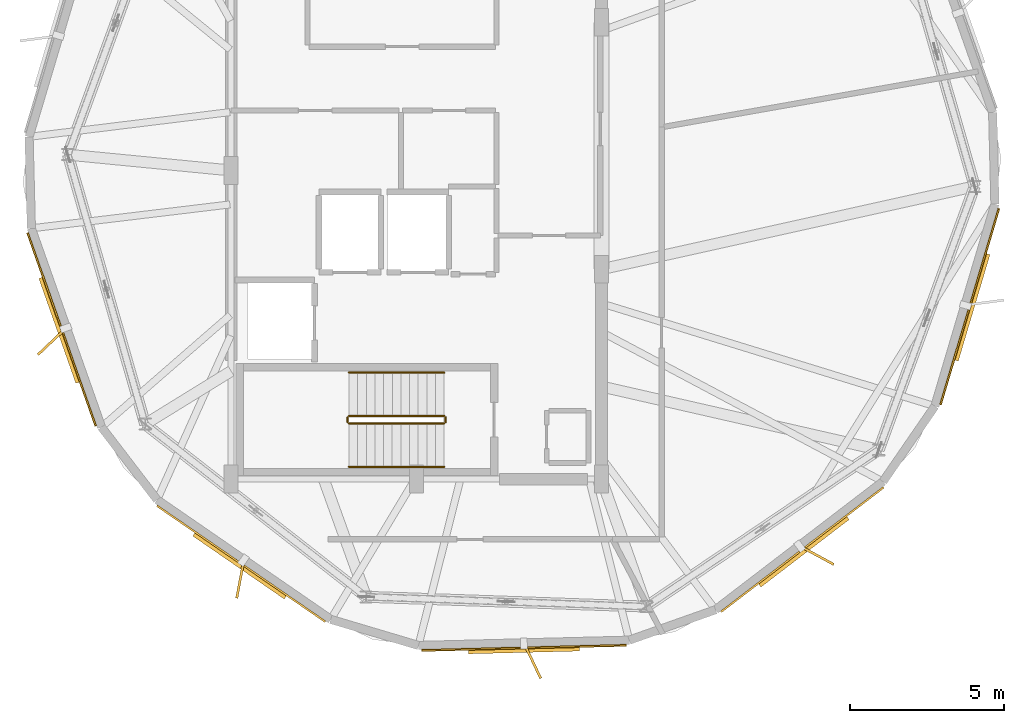
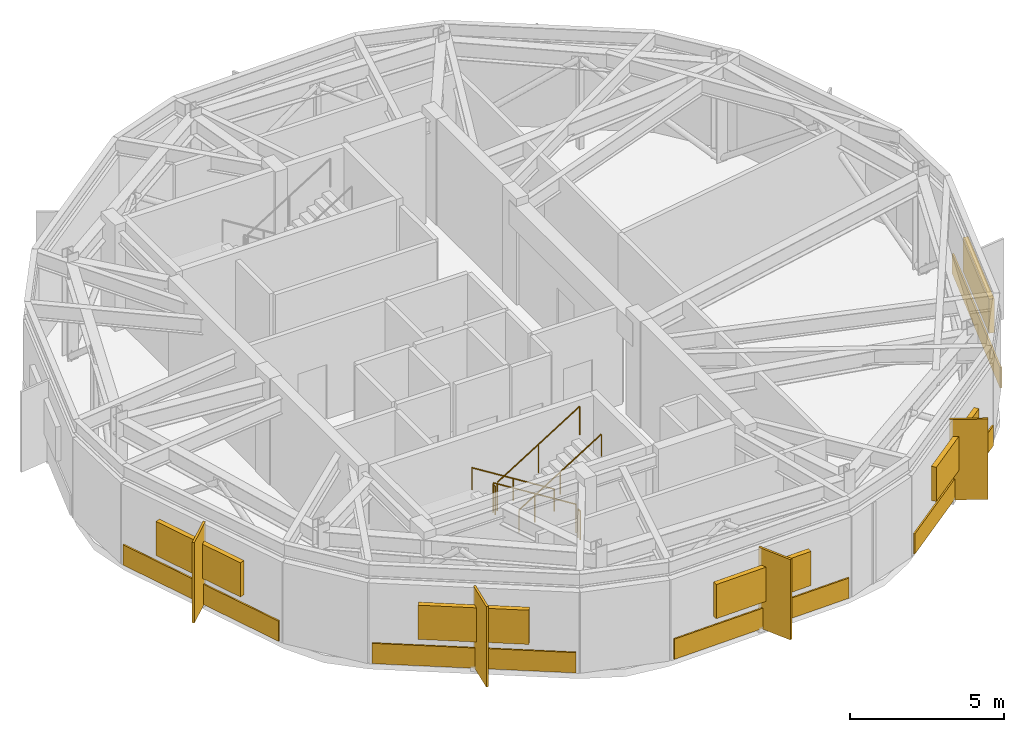
# One storey, part 7 of 9: 9 shading devices, 6 railings, 5 coverings.
"""IFC4 building model written with IfcOpenShell, lengths in metres."""

from ifc_helpers import new_model, si_unit, direction, frame, origin, origin_2d, place, context, subcontext, project, spatial, rectangle, circle, extrude, material, layer, layer_set, type_object, element, save


model = new_model("IFC4")

# Units and contexts
model_context = context("Model", 3, precision=1e-05, world=origin(), true_north=direction((0.0, 1.0)))
body_context = subcontext(model_context, "Body", "Model", "MODEL_VIEW")
ifc_project = project(units=[si_unit("LENGTHUNIT", "METRE"), si_unit("AREAUNIT", "SQUARE_METRE"), si_unit("VOLUMEUNIT", "CUBIC_METRE"), si_unit("PLANEANGLEUNIT", "RADIAN"), si_unit("MASSUNIT", "GRAM", prefix="KILO")], contexts=[model_context])

# Site, building, storey
site_placement = place(None, origin())
site = spatial("IfcSite", under=ifc_project, at=site_placement, CompositionType="ELEMENT")
building_placement = place(site_placement, origin())
building = spatial("IfcBuilding", under=site, at=building_placement, Name="Soratama Intermodal Tower", CompositionType="ELEMENT")
storey_placement = place(building_placement, frame((0.0, 0.0, 305.64990234375)))
storey = spatial("IfcBuildingStorey", under=building, at=storey_placement, Name="L77", CompositionType="ELEMENT", Elevation=305.64990234375)

# Coverings
ifc_material_1 = material(Name="Honed Andean limestone cladding", Category="masonry")
ifc_layer_1 = layer(ifc_material_1, 0.06005859375)
ifc_layer_set_1 = layer_set([ifc_layer_1], Name="Honed Andean limestone cladding")
covering_type = type_object("IfcCoveringType", Name="CV-STONE-CLAD", PredefinedType="CLADDING", material=ifc_layer_set_1)
for number, where, z_axis, x_axis, name in (
    (1, (27.110107421875, 19.8505859375, 0.05029296875), (0.0, 0.0, 1.0), (0.332819544523, -0.942990535893, 0.0), "L77 Stone Cladding F04"),
    (2, (32.923095703125, 12.25830078125, 0.05029296875), (0.0, 0.0, 1.0), (0.823532597628, -0.567268949127, 0.0), "L77 Stone Cladding F05"),
    (3, (42.0888671875, 9.532958984375, 0.05029296875), (0.0, 0.0, 1.0), (0.999684189283, 0.025130095443, 0.0), "L77 Stone Cladding F06"),
    (4, (51.10595703125, 12.71533203125, 0.05029296875), (0.0, 0.0, 1.0), (0.793990398648, 0.607930297695, 0.0), "L77 Stone Cladding F07"),
    (5, (56.5302734375, 20.590087890625, 0.05029296875), (0.0, 0.0, 1.0), (0.28501926247, 0.958521789017, 0.0), "L77 Stone Cladding F08"),
):
    element("IfcCovering", number, at=place(storey_placement, frame(where, z_axis=z_axis, x_axis=x_axis)), inside=storey, type_object=covering_type, Name=name, PredefinedType="CLADDING", context=body_context, shape_type="SweptSolid", body=[
        extrude(rectangle(XDim=6.631103515625, YDim=0.06005859375, at=origin_2d()), origin(), (0.0, 0.0, 1.0), 0.800048828125),
    ])

# Railings
ifc_material_2 = material(Name="Painted steel stair guardrail", Category="steel")
railing_type_1 = type_object("IfcRailingType", Name="RL-STAIR-GUARD", PredefinedType="GUARDRAIL", material=ifc_material_2)
railing_1_placement = place(storey_placement, frame((39.5, 17.050048828125, 0.175048828125)))
element("IfcRailing", 6, at=railing_1_placement, inside=storey, type_object=railing_type_1, Name="L77 ST-1 stair guard 1", PredefinedType="GUARDRAIL", context=body_context, shape_type="SweptSolid", body=[
    extrude(circle(Radius=0.02392578125, at=origin_2d()), frame((0.0, 0.0, 1.1259765625), z_axis=(-0.847998304005, 0.0, 0.529998940003), x_axis=(0.0, -1.0, 0.0)), (0.0, 0.0, 1.0), 3.632080078125),
    extrude(circle(Radius=0.02099609375, at=origin_2d()), origin(), (0.0, 0.0, 1.0), 1.101806640625),
    extrude(circle(Radius=0.02099609375, at=origin_2d()), frame((-1.5400390625, 0.0, 0.96240234375)), (0.0, 0.0, 1.0), 1.101806640625),
    extrude(circle(Radius=0.02099609375, at=origin_2d()), frame((-3.080078125, 0.0, 1.925048828125)), (0.0, 0.0, 1.0), 1.101806640625),
])
railing_2_placement = place(storey_placement, frame((36.3701171875, 17.0, 2.10009765625)))
element("IfcRailing", 7, at=railing_2_placement, inside=storey, type_object=railing_type_1, Name="L77 ST-1 stair guard 2", PredefinedType="GUARDRAIL", context=body_context, shape_type="SweptSolid", body=[
    extrude(circle(Radius=0.02392578125, at=origin_2d()), frame((0.0, 0.0, 1.1259765625), z_axis=(0.0, -1.0, 0.0), x_axis=(1.0, 0.0, 0.0)), (0.0, 0.0, 1.0), 0.14990234375),
    extrude(circle(Radius=0.02099609375, at=origin_2d()), origin(), (0.0, 0.0, 1.0), 1.101806640625),
    extrude(circle(Radius=0.02099609375, at=origin_2d()), frame((0.0, -0.14990234375, 0.0)), (0.0, 0.0, 1.0), 1.101806640625),
])
railing_3_placement = place(storey_placement, frame((36.419921875, 16.800048828125, 2.275146484375)))
element("IfcRailing", 8, at=railing_3_placement, inside=storey, type_object=railing_type_1, Name="L77 ST-1 stair guard 3", PredefinedType="GUARDRAIL", context=body_context, shape_type="SweptSolid", body=[
    extrude(circle(Radius=0.02392578125, at=origin_2d()), frame((0.0, 0.0, 1.1259765625), z_axis=(0.847998304005, 0.0, 0.529998940003), x_axis=(0.0, 1.0, 0.0)), (0.0, 0.0, 1.0), 3.632080078125),
    extrude(circle(Radius=0.02099609375, at=origin_2d()), origin(), (0.0, 0.0, 1.0), 1.101806640625),
    extrude(circle(Radius=0.02099609375, at=origin_2d()), frame((1.5400390625, 0.0, 0.96240234375)), (0.0, 0.0, 1.0), 1.101806640625),
    extrude(circle(Radius=0.02099609375, at=origin_2d()), frame((3.080078125, 0.0, 1.925048828125)), (0.0, 0.0, 1.0), 1.101806640625),
])
railing_4_placement = place(storey_placement, frame((39.550048828125, 17.0, 0.0)))
element("IfcRailing", 9, at=railing_4_placement, inside=storey, type_object=railing_type_1, Name="L77 ST-1 stair guard 4", PredefinedType="GUARDRAIL", context=body_context, shape_type="SweptSolid", body=[
    extrude(circle(Radius=0.02392578125, at=origin_2d()), frame((0.0, 0.0, 1.1259765625), z_axis=(0.0, -1.0, 0.0), x_axis=(1.0, 0.0, 0.0)), (0.0, 0.0, 1.0), 0.14990234375),
    extrude(circle(Radius=0.02099609375, at=origin_2d()), origin(), (0.0, 0.0, 1.0), 1.101806640625),
    extrude(circle(Radius=0.02099609375, at=origin_2d()), frame((0.0, -0.14990234375, 0.0)), (0.0, 0.0, 1.0), 1.101806640625),
])
ifc_material_3 = material(Name="Brushed stainless steel handrail", Category="steel")
railing_type_2 = type_object("IfcRailingType", Name="RL-STAIR-HAND", PredefinedType="HANDRAIL", material=ifc_material_3)
railing_5_placement = place(storey_placement, frame((39.5, 18.449951171875, 0.175048828125)))
element("IfcRailing", 10, at=railing_5_placement, inside=storey, type_object=railing_type_2, Name="L77 ST-1 stair handrail 1", PredefinedType="HANDRAIL", context=body_context, shape_type="SweptSolid", body=[
    extrude(circle(Radius=0.02392578125, at=origin_2d()), frame((0.0, 0.0, 0.8759765625), z_axis=(-0.847998304005, 0.0, 0.529998940003), x_axis=(0.0, -1.0, 0.0)), (0.0, 0.0, 1.0), 3.632080078125),
    extrude(circle(Radius=0.02099609375, at=origin_2d()), origin(), (0.0, 0.0, 1.0), 0.851806640625),
    extrude(circle(Radius=0.02099609375, at=origin_2d()), frame((-1.5400390625, 0.0, 0.96240234375)), (0.0, 0.0, 1.0), 0.851806640625),
    extrude(circle(Radius=0.02099609375, at=origin_2d()), frame((-3.080078125, 0.0, 1.925048828125)), (0.0, 0.0, 1.0), 0.851806640625),
])
railing_6_placement = place(storey_placement, frame((36.419921875, 15.39990234375, 2.275146484375)))
element("IfcRailing", 11, at=railing_6_placement, inside=storey, type_object=railing_type_2, Name="L77 ST-1 stair handrail 2", PredefinedType="HANDRAIL", context=body_context, shape_type="SweptSolid", body=[
    extrude(circle(Radius=0.02392578125, at=origin_2d()), frame((0.0, 0.0, 0.8759765625), z_axis=(0.847998304005, 0.0, 0.529998940003), x_axis=(0.0, 1.0, 0.0)), (0.0, 0.0, 1.0), 3.632080078125),
    extrude(circle(Radius=0.02099609375, at=origin_2d()), origin(), (0.0, 0.0, 1.0), 0.851806640625),
    extrude(circle(Radius=0.02099609375, at=origin_2d()), frame((1.5400390625, 0.0, 0.96240234375)), (0.0, 0.0, 1.0), 0.851806640625),
    extrude(circle(Radius=0.02099609375, at=origin_2d()), frame((3.080078125, 0.0, 1.925048828125)), (0.0, 0.0, 1.0), 0.851806640625),
])

# Shading devices
ifc_material_4 = material(Name="Champagne anodised aluminium solar fin", Category="aluminium")
ifc_layer_2 = layer(ifc_material_4, 0.080078125)
ifc_layer_set_2 = layer_set([ifc_layer_2], Name="Champagne anodised aluminium solar fin")
shading_device_type_1 = type_object("IfcShadingDeviceType", Name="SH-FIN-1250", PredefinedType="USERDEFINED", material=ifc_layer_set_2)
for number, where, z_axis, x_axis, name in (
    (12, (26.79248046875, 19.46044921875, 0.02001953125), (0.0, 0.0, 1.0), (-0.726094816376, -0.687594588135, 0.0), "L77 Solar Fin F04-1"),
    (13, (32.895751953125, 11.756103515625, 0.02001953125), (0.0, 0.0, 1.0), (-0.183265087514, -0.983063531873, 0.0), "L77 Solar Fin F05-1"),
    (14, (42.36181640625, 9.1103515625, 0.02001953125), (0.0, 0.0, 1.0), (0.429565675827, -0.903035619536, 0.0), "L77 Solar Fin F06-1"),
    (15, (51.5751953125, 12.533935546875, 0.02001953125), (0.0, 0.0, 1.0), (0.878316951403, -0.478078793588, 0.0), "L77 Solar Fin F07-1"),
):
    element("IfcShadingDevice", number, at=place(storey_placement, frame(where, z_axis=z_axis, x_axis=x_axis)), inside=storey, type_object=shading_device_type_1, Name=name, ObjectType="FIN", PredefinedType="USERDEFINED", context=body_context, shape_type="SweptSolid", body=[
        extrude(rectangle(XDim=1.25, YDim=0.080078125, at=origin_2d()), origin(), (0.0, 0.0, 1.0), 3.175048828125),
    ])
ifc_material_5 = material(Name="Anodised aluminium weather louvre", Category="aluminium")
ifc_layer_3 = layer(ifc_material_5, 0.1201171875)
ifc_layer_set_3 = layer_set([ifc_layer_3], Name="Anodised aluminium weather louvre")
shading_device_type_2 = type_object("IfcShadingDeviceType", Name="SH-LOUVRE-PLANT", PredefinedType="JALOUSIE", material=ifc_layer_set_3)
for number, where, z_axis, x_axis, name in (
    (16, (27.053466796875, 19.83056640625, 1.175048828125), (0.0, 0.0, 1.0), (0.332819544523, -0.942990535893, 0.0), "L77 Acoustic Louvre F04"),
    (17, (32.88916015625, 12.208984375, 1.175048828125), (0.0, 0.0, 1.0), (0.823532597628, -0.567268949127, 0.0), "L77 Acoustic Louvre F05"),
    (18, (42.09033203125, 9.472900390625, 1.175048828125), (0.0, 0.0, 1.0), (0.999684189283, 0.025130095443, 0.0), "L77 Acoustic Louvre F06"),
    (19, (51.142333984375, 12.667724609375, 1.175048828125), (0.0, 0.0, 1.0), (0.793990398648, 0.607930297695, 0.0), "L77 Acoustic Louvre F07"),
    (20, (56.587890625, 20.572998046875, 1.175048828125), (0.0, 0.0, 1.0), (0.28501926247, 0.958521789017, 0.0), "L77 Acoustic Louvre F08"),
):
    element("IfcShadingDevice", number, at=place(storey_placement, frame(where, z_axis=z_axis, x_axis=x_axis)), inside=storey, type_object=shading_device_type_2, Name=name, PredefinedType="JALOUSIE", context=body_context, shape_type="SweptSolid", body=[
        extrude(rectangle(XDim=3.60009765625, YDim=0.179931640625, at=origin_2d()), origin(), (0.0, 0.0, 1.0), 1.35009765625),
    ])

save(model, "model.ifc")
